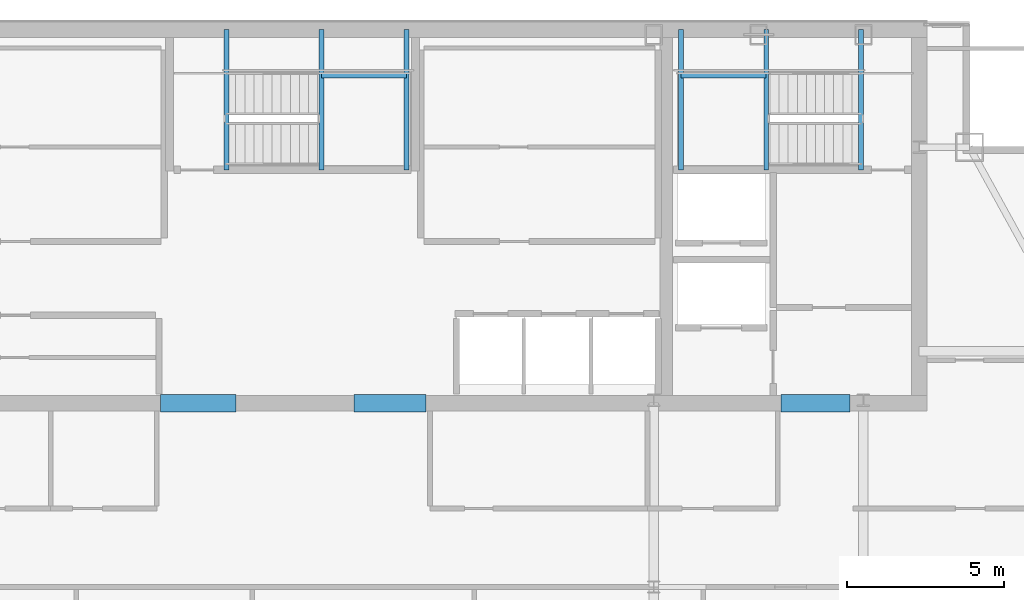
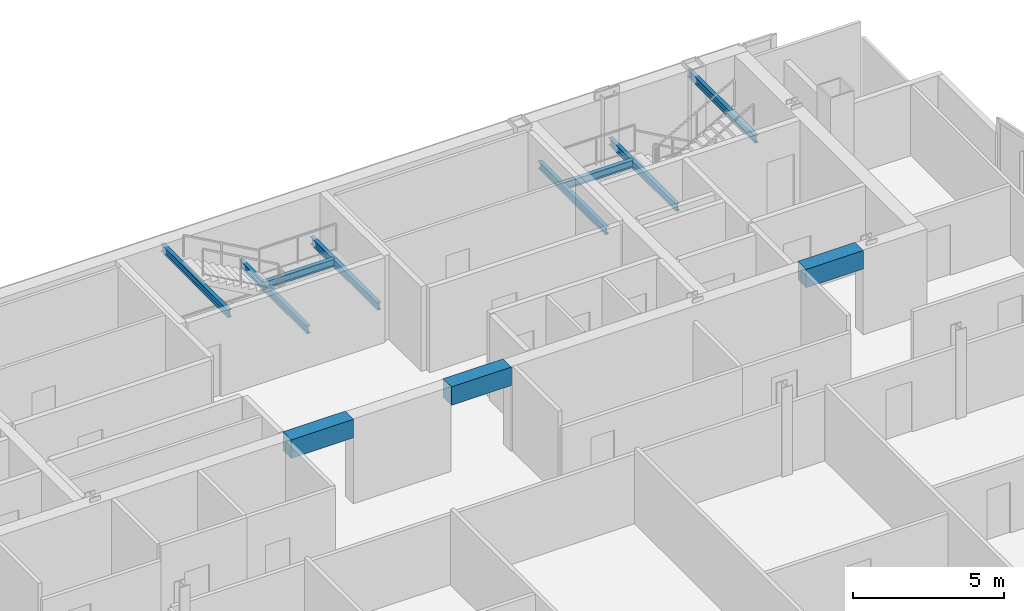
# One storey, part 19 of 27: 11 beams.
"""IFC4 building model written with IfcOpenShell, lengths in metres."""

from ifc_helpers import new_model, si_unit, direction, frame, origin, origin_2d, place, context, subcontext, project, spatial, rectangle, i_section, extrude, material, material_profile, profile_set, type_object, element, save


model = new_model("IFC4")

# Units and contexts
model_context = context("Model", 3, precision=1e-05, world=origin(), true_north=direction((0.0, 1.0)))
body_context = subcontext(model_context, "Body", "Model", "MODEL_VIEW")
ifc_project = project(units=[si_unit("LENGTHUNIT", "METRE"), si_unit("AREAUNIT", "SQUARE_METRE"), si_unit("VOLUMEUNIT", "CUBIC_METRE"), si_unit("PLANEANGLEUNIT", "RADIAN"), si_unit("MASSUNIT", "GRAM", prefix="KILO")], contexts=[model_context])

# Site, building, storey
site_placement = place(None, origin())
site = spatial("IfcSite", under=ifc_project, at=site_placement, CompositionType="ELEMENT")
building_placement = place(site_placement, origin())
building = spatial("IfcBuilding", under=site, at=building_placement, Name="Khoronbel Lancet Exchange", CompositionType="ELEMENT")
storey_placement = place(building_placement, frame((0.0, 0.0, 332.60009765625)))
storey = spatial("IfcBuildingStorey", under=building, at=storey_placement, Name="L86", CompositionType="ELEMENT", Elevation=332.60009765625)

# Beams
ifc_material_1 = material(Name="Steel S355", Category="steel")
ifc_material_profile_1 = material_profile(ifc_material_1, i_section(OverallWidth=0.14990234375, OverallDepth=0.300048828125, WebThickness=0.007080078125, FlangeThickness=0.0107421875, at=origin_2d()), Name="IPE 300")
ifc_profile_set_1 = profile_set([ifc_material_profile_1], Name="Steel S355")
beam_type_1 = type_object("IfcBeamType", Name="BM-BJ8", PredefinedType="JOIST", material=ifc_profile_set_1)
for number, where, z_axis, x_axis, name in (
    (1, (51.580078125, 48.97998046875, 1.449951171875), (0.0, 1.0, 0.0), (-1.0, 0.0, 0.0), "Level L86 stair ST2 landing bearer beam 1"),
    (2, (48.8701171875, 48.97998046875, 1.449951171875), (0.0, 1.0, 0.0), (-1.0, 0.0, 0.0), "Level L86 stair ST2 rear landing bearer beam 1"),
):
    element("IfcBeam", number, at=place(storey_placement, frame(where, z_axis=z_axis, x_axis=x_axis)), inside=storey, type_object=beam_type_1, Name=name, PredefinedType="JOIST", context=body_context, shape_type="SweptSolid", body=[
        extrude(i_section(OverallWidth=0.14990234375, OverallDepth=0.300048828125, WebThickness=0.007080078125, FlangeThickness=0.0107421875, at=origin_2d()), origin(), (0.0, 0.0, 1.0), 4.469970703125),
    ])
beam_1_placement = place(storey_placement, frame((48.8701171875, 51.97998046875, 1.449951171875), z_axis=(1.0, 0.0, 0.0), x_axis=(0.0, 1.0, 0.0)))
element("IfcBeam", 3, at=beam_1_placement, inside=storey, type_object=beam_type_1, Name="Level L86 stair ST2 landing cross trimmer beam 1", PredefinedType="JOIST", context=body_context, shape_type="SweptSolid", body=[
    extrude(i_section(OverallWidth=0.14990234375, OverallDepth=0.300048828125, WebThickness=0.007080078125, FlangeThickness=0.0107421875, at=origin_2d()), origin(), (0.0, 0.0, 1.0), 2.7099609375),
])
for number, where, z_axis, x_axis, name in (
    (4, (54.60009765625, 48.97998046875, 3.159912109375), (0.0, 1.0, 0.0), (-1.0, 0.0, 0.0), "Level L86 stair ST2 upper-flight arrival trimmer beam"),
    (5, (37.419921875, 48.97998046875, 1.449951171875), (0.0, 1.0, 0.0), (-1.0, 0.0, 0.0), "Level L86 stair ST3 landing bearer beam 1"),
    (6, (40.1298828125, 48.97998046875, 1.449951171875), (0.0, 1.0, 0.0), (-1.0, 0.0, 0.0), "Level L86 stair ST3 rear landing bearer beam 1"),
):
    element("IfcBeam", number, at=place(storey_placement, frame(where, z_axis=z_axis, x_axis=x_axis)), inside=storey, type_object=beam_type_1, Name=name, PredefinedType="JOIST", context=body_context, shape_type="SweptSolid", body=[
        extrude(i_section(OverallWidth=0.14990234375, OverallDepth=0.300048828125, WebThickness=0.007080078125, FlangeThickness=0.0107421875, at=origin_2d()), origin(), (0.0, 0.0, 1.0), 4.469970703125),
    ])
beam_2_placement = place(storey_placement, frame((37.419921875, 51.97998046875, 1.449951171875), z_axis=(1.0, 0.0, 0.0), x_axis=(0.0, 1.0, 0.0)))
element("IfcBeam", 7, at=beam_2_placement, inside=storey, type_object=beam_type_1, Name="Level L86 stair ST3 landing cross trimmer beam 1", PredefinedType="JOIST", context=body_context, shape_type="SweptSolid", body=[
    extrude(i_section(OverallWidth=0.14990234375, OverallDepth=0.300048828125, WebThickness=0.007080078125, FlangeThickness=0.0107421875, at=origin_2d()), origin(), (0.0, 0.0, 1.0), 2.7099609375),
])
beam_3_placement = place(storey_placement, frame((34.39990234375, 48.97998046875, 3.159912109375), z_axis=(0.0, 1.0, 0.0), x_axis=(-1.0, 0.0, 0.0)))
element("IfcBeam", 8, at=beam_3_placement, inside=storey, type_object=beam_type_1, Name="Level L86 stair ST3 upper-flight arrival trimmer beam", PredefinedType="JOIST", context=body_context, shape_type="SweptSolid", body=[
    extrude(i_section(OverallWidth=0.14990234375, OverallDepth=0.300048828125, WebThickness=0.007080078125, FlangeThickness=0.0107421875, at=origin_2d()), origin(), (0.0, 0.0, 1.0), 4.469970703125),
])
ifc_material_2 = material(Name="Concrete C60/75", Category="concrete")
ifc_material_profile_2 = material_profile(ifc_material_2, rectangle(XDim=0.550048828125, YDim=0.75, at=origin_2d()), Name="RC 550x750")
ifc_profile_set_2 = profile_set([ifc_material_profile_2], Name="Concrete C60/75")
beam_type_2 = type_object("IfcBeamType", Name="BM-BL2", PredefinedType="LINTEL", material=ifc_profile_set_2)
beam_4_placement = place(storey_placement, frame((32.300048828125, 41.550048828125, 3.06494140625), z_axis=(1.0, 0.0, 0.0), x_axis=(0.0, 1.0, 0.0)))
element("IfcBeam", 9, at=beam_4_placement, inside=storey, type_object=beam_type_2, Name="Level L86 rear core coupling lintel L2", PredefinedType="LINTEL", context=body_context, shape_type="SweptSolid", body=[
    extrude(rectangle(XDim=0.550048828125, YDim=0.75, at=origin_2d()), origin(), (0.0, 0.0, 1.0), 2.39990234375),
])
beam_5_placement = place(storey_placement, frame((38.449951171875, 41.550048828125, 3.06494140625), z_axis=(1.0, 0.0, 0.0), x_axis=(0.0, 1.0, 0.0)))
element("IfcBeam", 10, at=beam_5_placement, inside=storey, type_object=beam_type_2, Name="Level L86 rear core coupling lintel L3", PredefinedType="LINTEL", context=body_context, shape_type="SweptSolid", body=[
    extrude(rectangle(XDim=0.550048828125, YDim=0.75, at=origin_2d()), origin(), (0.0, 0.0, 1.0), 2.300048828125),
])
beam_6_placement = place(storey_placement, frame((52.050048828125, 41.550048828125, 3.06494140625), z_axis=(1.0, 0.0, 0.0), x_axis=(0.0, 1.0, 0.0)))
element("IfcBeam", 11, at=beam_6_placement, inside=storey, type_object=beam_type_2, Name="Level L86 rear core coupling lintel L4", PredefinedType="LINTEL", context=body_context, shape_type="SweptSolid", body=[
    extrude(rectangle(XDim=0.550048828125, YDim=0.75, at=origin_2d()), origin(), (0.0, 0.0, 1.0), 2.199951171875),
])

save(model, "model.ifc")
